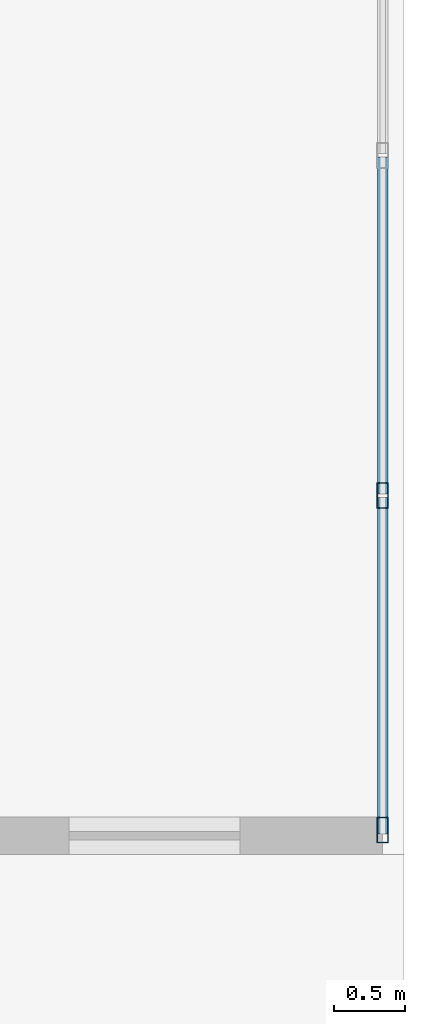
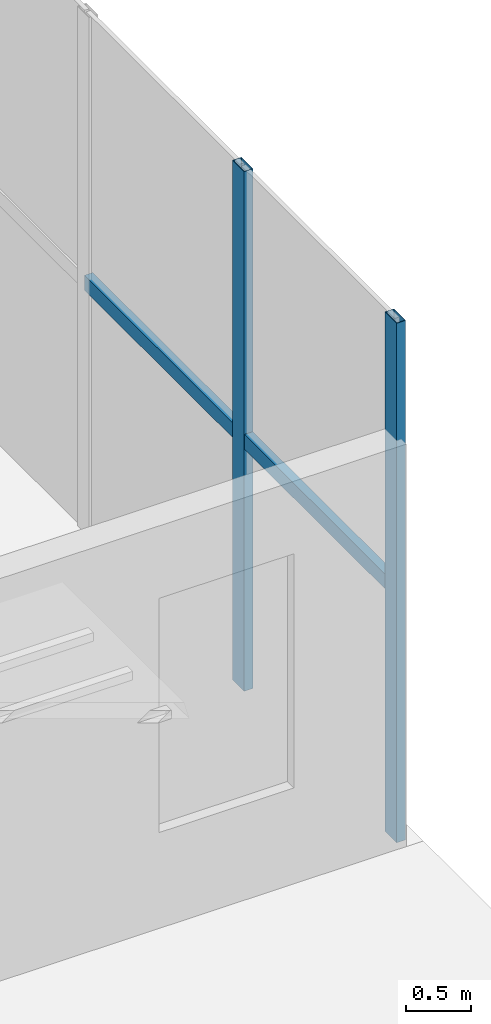
# One storey, part 20 of 40: 4 members, 1 element without a shape of its own.
"""IFC4 building model written with IfcOpenShell, lengths in metres."""

from ifc_helpers import new_model, si_unit, direction, frame, origin, origin_2d, place, context, subcontext, project, spatial, hollow_rectangle, extrude, source, transform, mapped, material, material_profile, profile_set, type_object, element, aggregate, save


model = new_model("IFC4")

# Units and contexts
model_context = context("Model", 3, precision=1e-05, world=origin(), true_north=direction((0.0, 1.0)))
body_context = subcontext(model_context, "Body", "Model", "MODEL_VIEW")
ifc_project = project(units=[si_unit("LENGTHUNIT", "METRE"), si_unit("AREAUNIT", "SQUARE_METRE"), si_unit("VOLUMEUNIT", "CUBIC_METRE"), si_unit("PLANEANGLEUNIT", "RADIAN"), si_unit("MASSUNIT", "GRAM", prefix="KILO")], contexts=[model_context])

# Site, building, storey
site_placement = place(None, origin())
site = spatial("IfcSite", under=ifc_project, at=site_placement, CompositionType="ELEMENT")
building_placement = place(site_placement, origin())
building = spatial("IfcBuilding", under=site, at=building_placement, Name="Trelvane Seafront Commons", CompositionType="ELEMENT")
storey_placement = place(building_placement, origin())
storey = spatial("IfcBuildingStorey", under=building, at=storey_placement, Name="L00", CompositionType="ELEMENT", Elevation=0.0)

# Curtain wall, members
ifc_material = material(Name="Anodised pale-silver aluminium", Category="aluminium")
curtain_wall_type = type_object("IfcCurtainWallType", Name="ARCH-CW4-SKYLOBBY", PredefinedType="NOTDEFINED", material=ifc_material)
curtain_wall_placement = place(storey_placement, origin())
curtain_wall = element("IfcCurtainWall", 1, at=curtain_wall_placement, inside=storey, type_object=curtain_wall_type, Name="CW-L00-0005", PredefinedType="NOTDEFINED")
ifc_material_profile_1 = material_profile(ifc_material, hollow_rectangle(XDim=0.080078125, YDim=0.179931640625, WallThickness=0.00439453125, at=origin_2d()), Name="MULL-80x180x4.5")
ifc_profile_set_1 = profile_set([ifc_material_profile_1], Name="Anodised pale-silver aluminium")
member_type_1 = type_object("IfcMemberType", Name="ARCH-CW-MULL-180", PredefinedType="MULLION", material=ifc_profile_set_1)
shared_shape_1 = source(origin(), body_context, "Body", "SweptSolid", [
    extrude(hollow_rectangle(XDim=0.080078125, YDim=0.179931640625, WallThickness=0.00439453125, at=origin_2d()), origin(), (0.0, 0.0, 1.0), 4.8798828125),
])
member_1_placement = place(storey_placement, frame((76.449951171875, 6.116943359375, 0.0), z_axis=(0.0, 0.0, 1.0), x_axis=(1.0, 0.0, 0.0)))
member_1 = element("IfcMember", 2, at=member_1_placement, type_object=member_type_1, Name="CW-L00-0005-M19", PredefinedType="MULLION", context=body_context, shape_type="MappedRepresentation", body=[
    mapped(shared_shape_1, transform((0.0, 0.0, 0.0), x_axis=(1.0, 0.0, 0.0), y_axis=(0.0, 1.0, 0.0), z_axis=(0.0, 0.0, 1.0), scale=1.0)),
])
member_2_placement = place(storey_placement, frame((76.449951171875, 3.77001953125, 0.0), z_axis=(0.0, 0.0, 1.0), x_axis=(1.0, 0.0, 0.0)))
member_2 = element("IfcMember", 3, at=member_2_placement, type_object=member_type_1, Name="CW-L00-0005-M20", PredefinedType="MULLION", context=body_context, shape_type="MappedRepresentation", body=[
    mapped(shared_shape_1, transform((0.0, 0.0, 0.0), x_axis=(1.0, 0.0, 0.0), y_axis=(0.0, 1.0, 0.0), z_axis=(0.0, 0.0, 1.0), scale=1.0)),
])
ifc_material_profile_2 = material_profile(ifc_material, hollow_rectangle(XDim=0.074951171875, YDim=0.139892578125, WallThickness=0.00390625, at=origin_2d()), Name="TRAN-75x140x4")
ifc_profile_set_2 = profile_set([ifc_material_profile_2], Name="Anodised pale-silver aluminium")
member_type_2 = type_object("IfcMemberType", Name="ARCH-CW-TRAN-140", PredefinedType="USERDEFINED", material=ifc_profile_set_2)
shared_shape_2 = source(origin(), body_context, "Body", "SweptSolid", [
    extrude(hollow_rectangle(XDim=0.074951171875, YDim=0.139892578125, WallThickness=0.00390625, at=origin_2d()), origin(), (0.0, 0.0, 1.0), 2.363037109375),
])
member_3_placement = place(storey_placement, frame((76.449951171875, 8.491943359375, 2.342041015625), z_axis=(0.0, -1.0, 0.0), x_axis=(1.0, 0.0, 0.0)))
member_3 = element("IfcMember", 4, at=member_3_placement, type_object=member_type_2, Name="CW-L00-0005-T18", ObjectType="TRANSOM", PredefinedType="USERDEFINED", context=body_context, shape_type="MappedRepresentation", body=[
    mapped(shared_shape_2, transform((0.0, 0.0, 0.0), x_axis=(1.0, 0.0, 0.0), y_axis=(0.0, 1.0, 0.0), z_axis=(0.0, 0.0, 1.0), scale=1.0)),
])
member_4_placement = place(storey_placement, frame((76.449951171875, 6.10498046875, 2.342041015625), z_axis=(0.0, -1.0, 0.0), x_axis=(1.0, 0.0, 0.0)))
member_4 = element("IfcMember", 5, at=member_4_placement, type_object=member_type_2, Name="CW-L00-0005-T19", ObjectType="TRANSOM", PredefinedType="USERDEFINED", context=body_context, shape_type="MappedRepresentation", body=[
    mapped(shared_shape_2, transform((0.0, 0.0, 0.0), x_axis=(1.0, 0.0, 0.0), y_axis=(0.0, 1.0, 0.0), z_axis=(0.0, 0.0, 1.0), scale=1.0)),
])
aggregate(curtain_wall, [member_1, member_2, member_3, member_4])

save(model, "model.ifc")
